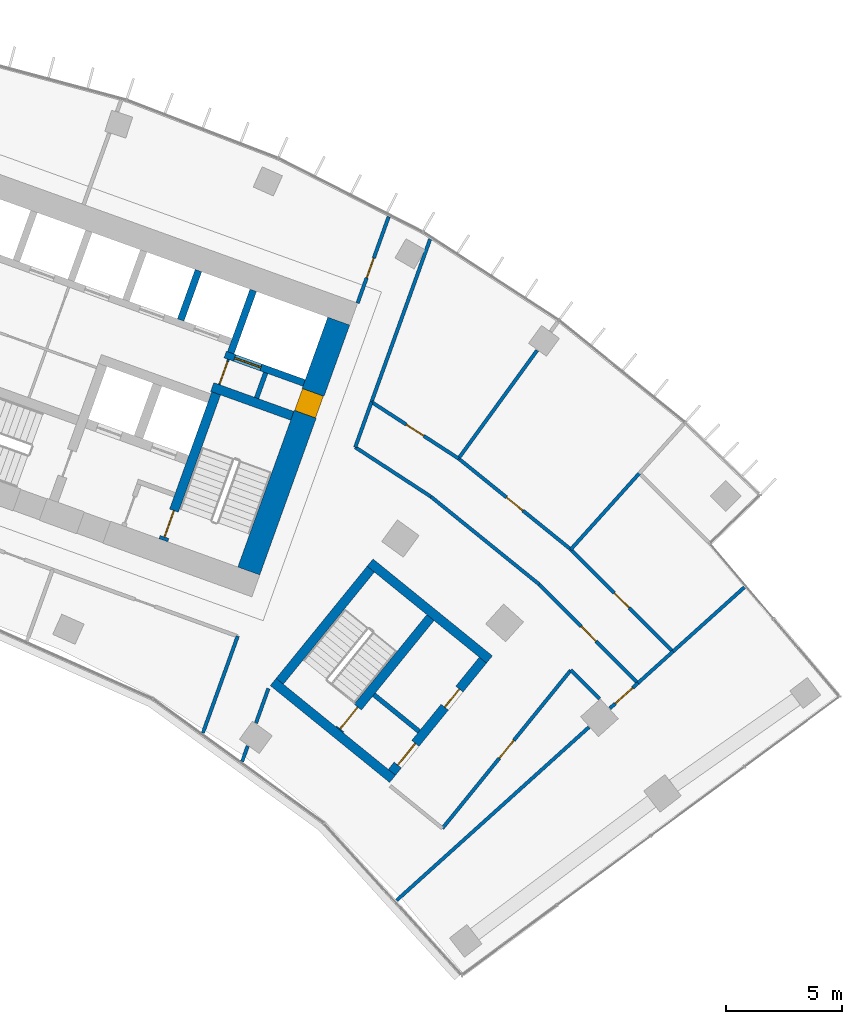
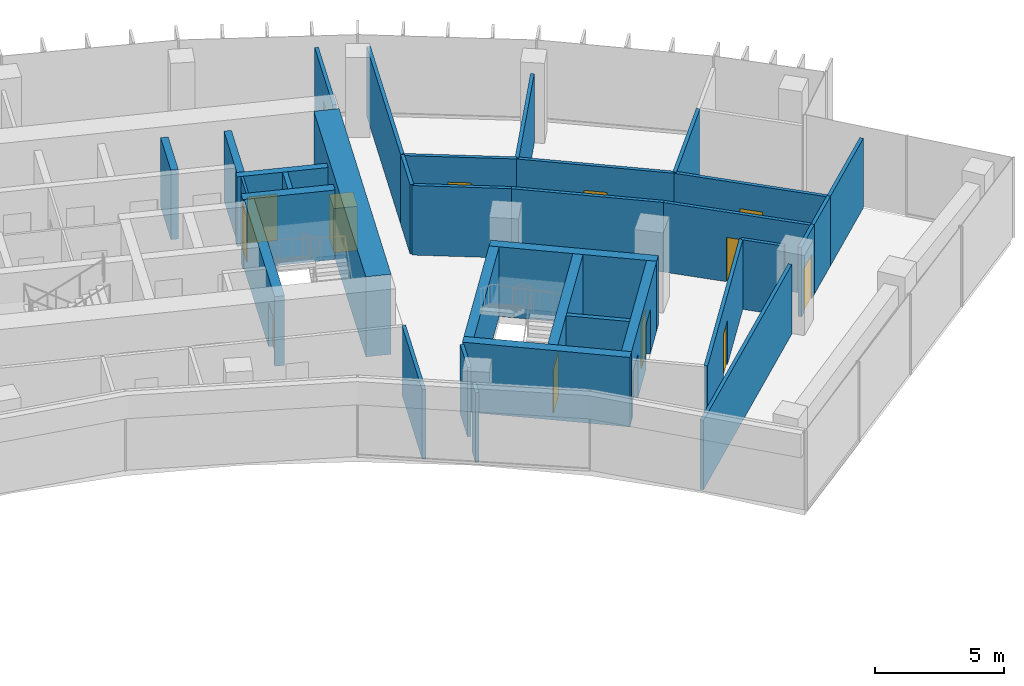
# One storey, part 16 of 19: 34 walls, 14 doors, 14 openings.
"""IFC4 building model written with IfcOpenShell, lengths in metres."""

from ifc_helpers import new_model, si_unit, direction, frame, frame_2d, origin, place, context, subcontext, project, spatial, rectangle, extrude, material, layer, layer_set, type_object, element, fill, save


model = new_model("IFC4")

# Units and contexts
model_context = context("Model", 3, precision=1e-05, world=origin(), true_north=direction((0.0, 1.0)))
body_context = subcontext(model_context, "Body", "Model", "MODEL_VIEW")
ifc_project = project(units=[si_unit("LENGTHUNIT", "METRE"), si_unit("AREAUNIT", "SQUARE_METRE"), si_unit("VOLUMEUNIT", "CUBIC_METRE"), si_unit("PLANEANGLEUNIT", "RADIAN"), si_unit("MASSUNIT", "GRAM", prefix="KILO")], contexts=[model_context])

# Site, building, storey
site_placement = place(None, origin())
site = spatial("IfcSite", under=ifc_project, at=site_placement, CompositionType="ELEMENT")
building_placement = place(site_placement, origin())
building = spatial("IfcBuilding", under=site, at=building_placement, Name="Stone Belt Terrace Tower", CompositionType="ELEMENT")
storey_placement = place(building_placement, frame((0.0, 0.0, 246.60009765625)))
storey = spatial("IfcBuildingStorey", under=building, at=storey_placement, Name="L60", CompositionType="ELEMENT", Elevation=246.60009765625)

# Wall, opening, door
ifc_material_1 = material(Name="Plasterboard partition")
ifc_layer_1 = layer(ifc_material_1, 0.10009765625)
ifc_layer_set_1 = layer_set([ifc_layer_1], Name="Core partition 100")
wall_type_1 = type_object("IfcWallType", Name="Core partition 100", PredefinedType="PARTITIONING", material=ifc_layer_set_1)
wall_1_placement = place(storey_placement, frame((24.555908203125, 51.10400390625, 0.0), z_axis=(0.0, 0.0, 1.0), x_axis=(0.338621735342, 0.94092258999, 0.0)))
wall_1 = element("IfcWall", 1, at=wall_1_placement, inside=storey, type_object=wall_type_1, Name="Core B wall", PredefinedType="PARTITIONING", context=body_context, shape_type="SweptSolid", body=[
    extrude(rectangle(XDim=1.14990234375, YDim=0.10009765625, at=frame_2d((0.574951171875, 0.0))), origin(), (0.0, 0.0, 1.0), 3.2998046875),
])
opening_1_placement = place(wall_1_placement, frame((0.050048828125, 0.0, 0.0)))
opening_1 = element("IfcOpeningElement", 2, at=opening_1_placement, cuts=wall_1, Name="Opening L60-C19", PredefinedType="OPENING", context=body_context, shape_type="SweptSolid", body=[
    extrude(rectangle(XDim=1.0, YDim=2.10009765625, at=frame_2d((0.5, 1.050048828125))), frame((0.0, 0.06005859375, 0.0), z_axis=(0.0, -1.0, 0.0), x_axis=(1.0, 0.0, 0.0)), (0.0, 0.0, 1.0), 0.1201171875),
])
ifc_material_2 = material(Name="Timber door leaf", Category="wood")
door_type_1 = type_object("IfcDoorType", Name="Core room door 1000", OperationType="SINGLE_SWING_LEFT", PredefinedType="DOOR", material=ifc_material_2)
door_1_placement = place(opening_1_placement, origin())
door_1 = element("IfcDoor", 3, at=door_1_placement, inside=storey, type_object=door_type_1, Name="Service lift lobby door core B", OperationType="SINGLE_SWING_RIGHT", OverallHeight=2.10009765625, OverallWidth=1.0, PredefinedType="DOOR", context=body_context, shape_type="SweptSolid", body=[
    extrude(rectangle(XDim=1.0, YDim=2.10009765625, at=frame_2d((0.5, 1.050048828125))), frame((0.0, 0.02490234375, 0.0), z_axis=(0.0, -1.0, 0.0), x_axis=(1.0, 0.0, 0.0)), (0.0, 0.0, 1.0), 0.050048828125),
])
fill(opening_1, door_1)

ifc_material_3 = material(Name="Concrete B60", Category="concrete")
ifc_layer_2 = layer(ifc_material_3, 1.0)
ifc_layer_set_2 = layer_set([ifc_layer_2], Name="Core wall 1000 B60")
wall_type_2 = type_object("IfcWallType", Name="Core wall 1000 B60", PredefinedType="SHEAR", material=ifc_layer_set_2)
wall_2_placement = place(storey_placement, frame((25.821044921875, 43.102783203125, 0.0), z_axis=(0.0, 0.0, 1.0), x_axis=(0.338625431531, 0.940921259788, 0.0)))
wall_2 = element("IfcWall", 4, at=wall_2_placement, inside=storey, type_object=wall_type_2, Name="Core B wall end_b L60", PredefinedType="SHEAR", context=body_context, shape_type="SweptSolid", body=[
    extrude(rectangle(XDim=11.400146484375, YDim=1.0, at=frame_2d((5.7001953125, 0.0))), origin(), (0.0, 0.0, 1.0), 3.7998046875),
])
opening_2_placement = place(wall_2_placement, frame((7.14990234375, 0.0, 0.0)))
opening_2 = element("IfcOpeningElement", 5, at=opening_2_placement, cuts=wall_2, Name="Opening L60-C18", PredefinedType="OPENING", context=body_context, shape_type="SweptSolid", body=[
    extrude(rectangle(XDim=1.0, YDim=2.10009765625, at=frame_2d((0.5, 1.050048828125))), frame((0.0, 0.510009765625, 0.0), z_axis=(0.0, -1.0, 0.0), x_axis=(1.0, 0.0, 0.0)), (0.0, 0.0, 1.0), 1.02001953125),
])
door_2_placement = place(opening_2_placement, origin())
door_2 = element("IfcDoor", 6, at=door_2_placement, inside=storey, type_object=door_type_1, Name="Door to Telecommunications riser room core B", OperationType="SINGLE_SWING_LEFT", OverallHeight=2.10009765625, OverallWidth=1.0, PredefinedType="DOOR", context=body_context, shape_type="SweptSolid", body=[
    extrude(rectangle(XDim=1.0, YDim=2.10009765625, at=frame_2d((0.5, 1.050048828125))), frame((0.0, 0.47998046875, 0.0), z_axis=(0.0, -1.0, 0.0), x_axis=(1.0, 0.0, 0.0)), (0.0, 0.0, 1.0), 0.949951171875),
])
fill(opening_2, door_2)

ifc_material_4 = material(Name="Concrete B80", Category="concrete")
ifc_layer_3 = layer(ifc_material_4, 0.300048828125)
ifc_layer_set_3 = layer_set([ifc_layer_3], Name="Lift shaft wall 300")
wall_type_3 = type_object("IfcWallType", Name="Lift shaft wall 300", PredefinedType="SHEAR", material=ifc_layer_set_3)
wall_3_placement = place(storey_placement, frame((28.195068359375, 51.17578125, 0.0), z_axis=(0.0, 0.0, 1.0), x_axis=(-0.940901243567, 0.338681044427, 0.0)))
wall_3 = element("IfcWall", 7, at=wall_3_placement, inside=storey, type_object=wall_type_3, Name="Core B wall", PredefinedType="SHEAR", context=body_context, shape_type="SweptSolid", body=[
    extrude(rectangle(XDim=3.599853515625, YDim=0.300048828125, at=frame_2d((1.7998046875, 0.0))), origin(), (0.0, 0.0, 1.0), 3.2998046875),
])
opening_3_placement = place(wall_3_placement, frame((1.969970703125, 0.0, 0.0)))
opening_3 = element("IfcOpeningElement", 8, at=opening_3_placement, cuts=wall_3, Name="Opening L60-LD16", PredefinedType="OPENING", context=body_context, shape_type="SweptSolid", body=[
    extrude(rectangle(XDim=1.199951171875, YDim=2.199951171875, at=frame_2d((0.60009765625, 1.10009765625))), frame((0.0, 0.159912109375, 0.0), z_axis=(0.0, -1.0, 0.0), x_axis=(1.0, 0.0, 0.0)), (0.0, 0.0, 1.0), 0.320068359375),
])
ifc_material_5 = material(Name="Stainless steel door leaf", Category="steel")
door_type_2 = type_object("IfcDoorType", Name="Landing door 1200", OperationType="SLIDING_TO_LEFT", PredefinedType="DOOR", material=ifc_material_5)
door_3_placement = place(opening_3_placement, origin())
door_3 = element("IfcDoor", 9, at=door_3_placement, inside=storey, type_object=door_type_2, Name="Landing door SV1 core B", OperationType="SLIDING_TO_LEFT", OverallHeight=2.199951171875, OverallWidth=1.199951171875, PredefinedType="DOOR", context=body_context, shape_type="SweptSolid", body=[
    extrude(rectangle(XDim=1.199951171875, YDim=2.199951171875, at=frame_2d((0.60009765625, 1.10009765625))), frame((0.0, 0.02490234375, 0.0), z_axis=(0.0, -1.0, 0.0), x_axis=(1.0, 0.0, 0.0)), (0.0, 0.0, 1.0), 0.050048828125),
])
fill(opening_3, door_3)

# Walls
wall_4_placement = place(storey_placement, frame((25.046875, 52.46826171875, 0.0), z_axis=(0.0, 0.0, 1.0), x_axis=(0.338549588058, 0.940948551423, 0.0)))
element("IfcWall", 10, at=wall_4_placement, inside=storey, type_object=wall_type_3, Name="Core B wall", PredefinedType="SHEAR", context=body_context, shape_type="SweptSolid", body=[
    extrude(rectangle(XDim=2.849853515625, YDim=0.300048828125, at=frame_2d((1.4248046875, 0.0))), origin(), (0.0, 0.0, 1.0), 3.2998046875),
])
wall_5_placement = place(storey_placement, frame((22.897705078125, 53.87939453125, 0.0), z_axis=(0.0, 0.0, 1.0), x_axis=(0.338535034312, 0.940953787677, 0.0)))
element("IfcWall", 11, at=wall_5_placement, inside=storey, type_object=wall_type_3, Name="Core B wall", PredefinedType="SHEAR", context=body_context, shape_type="SweptSolid", body=[
    extrude(rectangle(XDim=2.25, YDim=0.300048828125, at=frame_2d((1.125, 0.0))), origin(), (0.0, 0.0, 1.0), 3.2998046875),
])
ifc_material_6 = material(Name="Gypsum board partition")
ifc_layer_4 = layer(ifc_material_6, 0.14990234375)
ifc_layer_set_4 = layer_set([ifc_layer_4], Name="PARTITION 150 EI 60")
wall_type_4 = type_object("IfcWallType", Name="PARTITION 150 EI 60", PredefinedType="PARTITIONING", material=ifc_layer_set_4)
wall_6_placement = place(storey_placement, frame((23.84912109375, 36.14697265625, 0.0), z_axis=(0.0, 0.0, 1.0), x_axis=(0.338515990554, 0.940960638996, 0.0)))
element("IfcWall", 12, at=wall_6_placement, inside=storey, type_object=wall_type_4, Name="L60/wall/i022", PredefinedType="PARTITIONING", context=body_context, shape_type="SweptSolid", body=[
    extrude(rectangle(XDim=4.4189453125, YDim=0.14990234375, at=frame_2d((2.20947265625, 0.0))), origin(), (0.0, 0.0, 1.0), 3.2998046875),
])

# Wall, opening, door
wall_7_placement = place(storey_placement, frame((30.490966796875, 54.60107421875, 0.0), z_axis=(0.0, 0.0, 1.0), x_axis=(0.338463192343, 0.940979631782, 0.0)))
wall_7 = element("IfcWall", 13, at=wall_7_placement, inside=storey, type_object=wall_type_4, Name="L60/wall/i023", PredefinedType="PARTITIONING", context=body_context, shape_type="SweptSolid", body=[
    extrude(rectangle(XDim=3.947021484375, YDim=0.14990234375, at=frame_2d((1.9736328125, 0.0))), origin(), (0.0, 0.0, 1.0), 3.2998046875),
])
opening_4_placement = place(wall_7_placement, frame((1.156494140625, 0.0, 0.0)))
opening_4 = element("IfcOpeningElement", 14, at=opening_4_placement, cuts=wall_7, Name="Opening D-D5b-10", PredefinedType="OPENING", context=body_context, shape_type="SweptSolid", body=[
    extrude(rectangle(XDim=0.89990234375, YDim=2.10009765625, at=frame_2d((0.449951171875, 1.050048828125))), frame((0.0, 0.0849609375, 0.0), z_axis=(0.0, -1.0, 0.0), x_axis=(1.0, 0.0, 0.0)), (0.0, 0.0, 1.0), 0.169921875),
])
door_type_3 = type_object("IfcDoorType", Name="OFFICE DOOR 900 X 2100", OperationType="NOTDEFINED", PredefinedType="DOOR", material=ifc_material_2)
door_4_placement = place(opening_4_placement, origin())
door_4 = element("IfcDoor", 15, at=door_4_placement, inside=storey, type_object=door_type_3, Name="L60/door/i10", OperationType="SINGLE_SWING_LEFT", OverallHeight=2.10009765625, OverallWidth=0.89990234375, PredefinedType="DOOR", context=body_context, shape_type="SweptSolid", body=[
    extrude(rectangle(XDim=0.89990234375, YDim=2.10009765625, at=frame_2d((0.449951171875, 1.050048828125))), frame((0.0, 0.02490234375, 0.0), z_axis=(0.0, -1.0, 0.0), x_axis=(1.0, 0.0, 0.0)), (0.0, 0.0, 1.0), 0.050048828125),
])
fill(opening_4, door_4)

# Walls
wall_8_placement = place(storey_placement, frame((26.662109375, 38.055908203125, 0.0), z_axis=(0.0, 0.0, 1.0), x_axis=(-0.338735967395, -0.940881472021, 0.0)))
element("IfcWall", 16, at=wall_8_placement, inside=storey, type_object=wall_type_4, Name="L60/wall/i024", PredefinedType="PARTITIONING", context=body_context, shape_type="SweptSolid", body=[
    extrude(rectangle(XDim=1.572021484375, YDim=0.14990234375, at=frame_2d((0.7861328125, 0.0))), origin(), (0.0, 0.0, 1.0), 3.2998046875),
])
wall_9_placement = place(storey_placement, frame((25.7734375, 35.58740234375, 0.0), z_axis=(0.0, 0.0, 1.0), x_axis=(-0.338743948122, -0.940878598763, 0.0)))
element("IfcWall", 17, at=wall_9_placement, inside=storey, type_object=wall_type_4, Name="L60/wall/i025", PredefinedType="PARTITIONING", context=body_context, shape_type="SweptSolid", body=[
    extrude(rectangle(XDim=0.706298828125, YDim=0.14990234375, at=frame_2d((0.35302734375, 0.0))), origin(), (0.0, 0.0, 1.0), 3.2998046875),
])
wall_10_placement = place(storey_placement, frame((31.091064453125, 50.363037109375, 0.0), z_axis=(0.0, 0.0, 1.0), x_axis=(-0.33830289946, -0.941037272491, 0.0)))
element("IfcWall", 18, at=wall_10_placement, inside=storey, type_object=wall_type_4, Name="L60/wall/i026", PredefinedType="PARTITIONING", context=body_context, shape_type="SweptSolid", body=[
    extrude(rectangle(XDim=2.075439453125, YDim=0.14990234375, at=frame_2d((1.03759765625, 0.0))), origin(), (0.0, 0.0, 1.0), 3.2998046875),
])
wall_11_placement = place(storey_placement, frame((33.60791015625, 57.35498046875, 0.0), z_axis=(0.0, 0.0, 1.0), x_axis=(-0.338596336593, -0.940931730173, 0.0)))
element("IfcWall", 19, at=wall_11_placement, inside=storey, type_object=wall_type_4, Name="L60/wall/i027", PredefinedType="PARTITIONING", context=body_context, shape_type="SweptSolid", body=[
    extrude(rectangle(XDim=7.442626953125, YDim=0.14990234375, at=frame_2d((3.72119140625, 0.0))), origin(), (0.0, 0.0, 1.0), 3.2998046875),
])

# Wall, opening, door
wall_12_placement = place(storey_placement, frame((42.531005859375, 38.2939453125, 0.0), z_axis=(0.0, 0.0, 1.0), x_axis=(-0.743450987947, -0.668790421972, 0.0)))
wall_12 = element("IfcWall", 20, at=wall_12_placement, inside=storey, type_object=wall_type_4, Name="L60/wall/i044", PredefinedType="PARTITIONING", context=body_context, shape_type="SweptSolid", body=[
    extrude(rectangle(XDim=1.625244140625, YDim=0.14990234375, at=frame_2d((0.8125, 0.0))), origin(), (0.0, 0.0, 1.0), 3.2998046875),
])
opening_5_placement = place(wall_12_placement, frame((0.312744140625, 0.0, 0.0)))
opening_5 = element("IfcOpeningElement", 21, at=opening_5_placement, cuts=wall_12, Name="Opening D-D5b-15", PredefinedType="OPENING", context=body_context, shape_type="SweptSolid", body=[
    extrude(rectangle(XDim=1.0, YDim=2.10009765625, at=frame_2d((0.5, 1.050048828125))), frame((0.0, 0.0849609375, 0.0), z_axis=(0.0, -1.0, 0.0), x_axis=(1.0, 0.0, 0.0)), (0.0, 0.0, 1.0), 0.169921875),
])
ifc_material_7 = material(Name="Timber fire door leaf", Category="wood")
door_type_4 = type_object("IfcDoorType", Name="TENANCY ENTRANCE DOOR 1000 X 2100", OperationType="NOTDEFINED", PredefinedType="DOOR", material=ifc_material_7)
door_5_placement = place(opening_5_placement, origin())
door_5 = element("IfcDoor", 22, at=door_5_placement, inside=storey, type_object=door_type_4, Name="L60/door/i15", OperationType="SINGLE_SWING_RIGHT", OverallHeight=2.10009765625, OverallWidth=1.0, PredefinedType="DOOR", context=body_context, shape_type="SweptSolid", body=[
    extrude(rectangle(XDim=1.0, YDim=2.10009765625, at=frame_2d((0.5, 1.050048828125))), frame((0.0, 0.02490234375, 0.0), z_axis=(0.0, -1.0, 0.0), x_axis=(1.0, 0.0, 0.0)), (0.0, 0.0, 1.0), 0.050048828125),
])
fill(opening_5, door_5)

# Walls
wall_13_placement = place(storey_placement, frame((32.1630859375, 28.959716796875, 0.0), z_axis=(0.0, 0.0, 1.0), x_axis=(0.743116100378, 0.669162507437, 0.0)))
element("IfcWall", 23, at=wall_13_placement, inside=storey, type_object=wall_type_4, Name="L60/wall/i045", PredefinedType="PARTITIONING", context=body_context, shape_type="SweptSolid", body=[
    extrude(rectangle(XDim=11.115478515625, YDim=0.14990234375, at=frame_2d((5.5576171875, 0.0))), origin(), (0.0, 0.0, 1.0), 3.2998046875),
])
wall_14_placement = place(storey_placement, frame((42.52197265625, 38.287109375, 0.0), z_axis=(0.0, 0.0, 1.0), x_axis=(0.74306127458, 0.669223387382, 0.0)))
element("IfcWall", 24, at=wall_14_placement, inside=storey, type_object=wall_type_4, Name="L60/wall/i046", PredefinedType="PARTITIONING", context=body_context, shape_type="SweptSolid", body=[
    extrude(rectangle(XDim=2.033447265625, YDim=0.14990234375, at=frame_2d((1.0166015625, 0.0))), origin(), (0.0, 0.0, 1.0), 3.2998046875),
])
wall_15_placement = place(storey_placement, frame((44.02490234375, 39.639892578125, 0.0), z_axis=(0.0, 0.0, 1.0), x_axis=(0.743144572165, 0.66913088769, 0.0)))
element("IfcWall", 25, at=wall_15_placement, inside=storey, type_object=wall_type_4, Name="L60/wall/i047", PredefinedType="PARTITIONING", context=body_context, shape_type="SweptSolid", body=[
    extrude(rectangle(XDim=4.1396484375, YDim=0.14990234375, at=frame_2d((2.06982421875, 0.0))), origin(), (0.0, 0.0, 1.0), 3.2998046875),
])
wall_16_placement = place(storey_placement, frame((40.871826171875, 37.615234375, 0.0), z_axis=(0.0, 0.0, 1.0), x_axis=(-0.707176795224, 0.707036760216, 0.0)))
element("IfcWall", 26, at=wall_16_placement, inside=storey, type_object=wall_type_4, Name="L60/wall/i048", PredefinedType="PARTITIONING", context=body_context, shape_type="SweptSolid", body=[
    extrude(rectangle(XDim=1.743408203125, YDim=0.14990234375, at=frame_2d((0.87158203125, 0.0))), origin(), (0.0, 0.0, 1.0), 3.2998046875),
])
wall_17_placement = place(storey_placement, frame((30.39111328125, 48.4150390625, 0.0), z_axis=(0.0, 0.0, 1.0), x_axis=(0.837265796004, -0.546796110851, 0.0)))
element("IfcWall", 27, at=wall_17_placement, inside=storey, type_object=wall_type_4, Name="L60/wall/i049", PredefinedType="PARTITIONING", context=body_context, shape_type="SweptSolid", body=[
    extrude(rectangle(XDim=3.87548828125, YDim=0.14990234375, at=frame_2d((1.937744140625, 0.0))), origin(), (0.0, 0.0, 1.0), 3.2998046875),
])
wall_18_placement = place(storey_placement, frame((33.635986328125, 46.2958984375, 0.0), z_axis=(0.0, 0.0, 1.0), x_axis=(0.77714422733, -0.629322532513, 0.0)))
element("IfcWall", 28, at=wall_18_placement, inside=storey, type_object=wall_type_4, Name="L60/wall/i050", PredefinedType="PARTITIONING", context=body_context, shape_type="SweptSolid", body=[
    extrude(rectangle(XDim=5.98876953125, YDim=0.14990234375, at=frame_2d((2.994384765625, 0.0))), origin(), (0.0, 0.0, 1.0), 3.2998046875),
])

# Wall, opening, door
wall_19_placement = place(storey_placement, frame((38.291015625, 42.52587890625, 0.0), z_axis=(0.0, 0.0, 1.0), x_axis=(0.707106781187, -0.707106781187, 0.0)))
wall_19 = element("IfcWall", 29, at=wall_19_placement, inside=storey, type_object=wall_type_4, Name="L60/wall/i051", PredefinedType="PARTITIONING", context=body_context, shape_type="SweptSolid", body=[
    extrude(rectangle(XDim=5.989013671875, YDim=0.14990234375, at=frame_2d((2.99462890625, 0.0))), origin(), (0.0, 0.0, 1.0), 3.2998046875),
])
opening_6_placement = place(wall_19_placement, frame((2.544677734375, 0.0, 0.0)))
opening_6 = element("IfcOpeningElement", 30, at=opening_6_placement, cuts=wall_19, Name="Opening D-D5b-17", PredefinedType="OPENING", context=body_context, shape_type="SweptSolid", body=[
    extrude(rectangle(XDim=0.89990234375, YDim=2.10009765625, at=frame_2d((0.449951171875, 1.050048828125))), frame((0.0, 0.0849609375, 0.0), z_axis=(0.0, -1.0, 0.0), x_axis=(1.0, 0.0, 0.0)), (0.0, 0.0, 1.0), 0.169921875),
])
door_6_placement = place(opening_6_placement, origin())
door_6 = element("IfcDoor", 31, at=door_6_placement, inside=storey, type_object=door_type_3, Name="L60/door/i17", OperationType="SINGLE_SWING_RIGHT", OverallHeight=2.10009765625, OverallWidth=0.89990234375, PredefinedType="DOOR", context=body_context, shape_type="SweptSolid", body=[
    extrude(rectangle(XDim=0.89990234375, YDim=2.10009765625, at=frame_2d((0.449951171875, 1.050048828125))), frame((0.0, 0.02490234375, 0.0), z_axis=(0.0, -1.0, 0.0), x_axis=(1.0, 0.0, 0.0)), (0.0, 0.0, 1.0), 0.050048828125),
])
fill(opening_6, door_6)

wall_20_placement = place(storey_placement, frame((34.133056640625, 32.055908203125, 0.0), z_axis=(0.0, 0.0, 1.0), x_axis=(0.630226712005, 0.776411161354, 0.0)))
wall_20 = element("IfcWall", 32, at=wall_20_placement, inside=storey, type_object=wall_type_4, Name="L60/wall/i052", PredefinedType="PARTITIONING", context=body_context, shape_type="SweptSolid", body=[
    extrude(rectangle(XDim=8.742919921875, YDim=0.14990234375, at=frame_2d((4.37158203125, 0.0))), origin(), (0.0, 0.0, 1.0), 3.2998046875),
])
opening_7_placement = place(wall_20_placement, frame((3.871337890625, 0.0, 0.0)))
opening_7 = element("IfcOpeningElement", 33, at=opening_7_placement, cuts=wall_20, Name="Opening D-D5b-16", PredefinedType="OPENING", context=body_context, shape_type="SweptSolid", body=[
    extrude(rectangle(XDim=1.0, YDim=2.10009765625, at=frame_2d((0.5, 1.050048828125))), frame((0.0, 0.0849609375, 0.0), z_axis=(0.0, -1.0, 0.0), x_axis=(1.0, 0.0, 0.0)), (0.0, 0.0, 1.0), 0.169921875),
])
door_7_placement = place(opening_7_placement, origin())
door_7 = element("IfcDoor", 34, at=door_7_placement, inside=storey, type_object=door_type_4, Name="L60/door/i16", OperationType="SINGLE_SWING_RIGHT", OverallHeight=2.10009765625, OverallWidth=1.0, PredefinedType="DOOR", context=body_context, shape_type="SweptSolid", body=[
    extrude(rectangle(XDim=1.0, YDim=2.10009765625, at=frame_2d((0.5, 1.050048828125))), frame((0.0, 0.02490234375, 0.0), z_axis=(0.0, -1.0, 0.0), x_axis=(1.0, 0.0, 0.0)), (0.0, 0.0, 1.0), 0.050048828125),
])
fill(opening_7, door_7)

wall_21_placement = place(storey_placement, frame((31.090087890625, 50.35693359375, 0.0), z_axis=(0.0, 0.0, 1.0), x_axis=(0.838646515126, -0.544676071319, 0.0)))
wall_21 = element("IfcWall", 35, at=wall_21_placement, inside=storey, type_object=wall_type_4, Name="L60/wall/i054", PredefinedType="PARTITIONING", context=body_context, shape_type="SweptSolid", body=[
    extrude(rectangle(XDim=4.452392578125, YDim=0.14990234375, at=frame_2d((2.22607421875, 0.0))), origin(), (0.0, 0.0, 1.0), 3.2998046875),
])
opening_8_placement = place(wall_21_placement, frame((1.776123046875, 0.0, 0.0)))
opening_8 = element("IfcOpeningElement", 36, at=opening_8_placement, cuts=wall_21, Name="Opening D-D5b-18", PredefinedType="OPENING", context=body_context, shape_type="SweptSolid", body=[
    extrude(rectangle(XDim=0.89990234375, YDim=2.10009765625, at=frame_2d((0.449951171875, 1.050048828125))), frame((0.0, 0.0849609375, 0.0), z_axis=(0.0, -1.0, 0.0), x_axis=(1.0, 0.0, 0.0)), (0.0, 0.0, 1.0), 0.169921875),
])
door_8_placement = place(opening_8_placement, origin())
door_8 = element("IfcDoor", 37, at=door_8_placement, inside=storey, type_object=door_type_3, Name="L60/door/i18", OperationType="SINGLE_SWING_RIGHT", OverallHeight=2.10009765625, OverallWidth=0.89990234375, PredefinedType="DOOR", context=body_context, shape_type="SweptSolid", body=[
    extrude(rectangle(XDim=0.89990234375, YDim=2.10009765625, at=frame_2d((0.449951171875, 1.050048828125))), frame((0.0, 0.02490234375, 0.0), z_axis=(0.0, -1.0, 0.0), x_axis=(1.0, 0.0, 0.0)), (0.0, 0.0, 1.0), 0.050048828125),
])
fill(opening_8, door_8)

wall_22_placement = place(storey_placement, frame((34.823974609375, 47.931884765625, 0.0), z_axis=(0.0, 0.0, 1.0), x_axis=(0.777176112755, -0.629283155473, 0.0)))
wall_22 = element("IfcWall", 38, at=wall_22_placement, inside=storey, type_object=wall_type_4, Name="L60/wall/i055", PredefinedType="PARTITIONING", context=body_context, shape_type="SweptSolid", body=[
    extrude(rectangle(XDim=6.2021484375, YDim=0.14990234375, at=frame_2d((3.10107421875, 0.0))), origin(), (0.0, 0.0, 1.0), 3.2998046875),
])
opening_9_placement = place(wall_22_placement, frame((2.651123046875, 0.0, 0.0)))
opening_9 = element("IfcOpeningElement", 39, at=opening_9_placement, cuts=wall_22, Name="Opening D-D5b-19", PredefinedType="OPENING", context=body_context, shape_type="SweptSolid", body=[
    extrude(rectangle(XDim=0.89990234375, YDim=2.10009765625, at=frame_2d((0.449951171875, 1.050048828125))), frame((0.0, 0.0849609375, 0.0), z_axis=(0.0, -1.0, 0.0), x_axis=(1.0, 0.0, 0.0)), (0.0, 0.0, 1.0), 0.169921875),
])
door_9_placement = place(opening_9_placement, origin())
door_9 = element("IfcDoor", 40, at=door_9_placement, inside=storey, type_object=door_type_3, Name="L60/door/i19", OperationType="SINGLE_SWING_RIGHT", OverallHeight=2.10009765625, OverallWidth=0.89990234375, PredefinedType="DOOR", context=body_context, shape_type="SweptSolid", body=[
    extrude(rectangle(XDim=0.89990234375, YDim=2.10009765625, at=frame_2d((0.449951171875, 1.050048828125))), frame((0.0, 0.02490234375, 0.0), z_axis=(0.0, -1.0, 0.0), x_axis=(1.0, 0.0, 0.0)), (0.0, 0.0, 1.0), 0.050048828125),
])
fill(opening_9, door_9)

wall_23_placement = place(storey_placement, frame((39.639892578125, 44.032958984375, 0.0), z_axis=(0.0, 0.0, 1.0), x_axis=(0.707126447351, -0.707087114475, 0.0)))
wall_23 = element("IfcWall", 41, at=wall_23_placement, inside=storey, type_object=wall_type_4, Name="L60/wall/i056", PredefinedType="PARTITIONING", context=body_context, shape_type="SweptSolid", body=[
    extrude(rectangle(XDim=6.20703125, YDim=0.14990234375, at=frame_2d((3.103515625, 0.0))), origin(), (0.0, 0.0, 1.0), 3.2998046875),
])
opening_10_placement = place(wall_23_placement, frame((2.653564453125, 0.0, 0.0)))
opening_10 = element("IfcOpeningElement", 42, at=opening_10_placement, cuts=wall_23, Name="Opening D-D5b-20", PredefinedType="OPENING", context=body_context, shape_type="SweptSolid", body=[
    extrude(rectangle(XDim=0.89990234375, YDim=2.10009765625, at=frame_2d((0.449951171875, 1.050048828125))), frame((0.0, 0.0849609375, 0.0), z_axis=(0.0, -1.0, 0.0), x_axis=(1.0, 0.0, 0.0)), (0.0, 0.0, 1.0), 0.169921875),
])
door_10_placement = place(opening_10_placement, origin())
door_10 = element("IfcDoor", 43, at=door_10_placement, inside=storey, type_object=door_type_3, Name="L60/door/i20", OperationType="SINGLE_SWING_RIGHT", OverallHeight=2.10009765625, OverallWidth=0.89990234375, PredefinedType="DOOR", context=body_context, shape_type="SweptSolid", body=[
    extrude(rectangle(XDim=0.89990234375, YDim=2.10009765625, at=frame_2d((0.449951171875, 1.050048828125))), frame((0.0, 0.02490234375, 0.0), z_axis=(0.0, -1.0, 0.0), x_axis=(1.0, 0.0, 0.0)), (0.0, 0.0, 1.0), 0.050048828125),
])
fill(opening_10, door_10)

# Walls
wall_24_placement = place(storey_placement, frame((38.196533203125, 52.572998046875, 0.0), z_axis=(0.0, 0.0, 1.0), x_axis=(-0.587741422295, -0.809048836918, 0.0)))
element("IfcWall", 44, at=wall_24_placement, inside=storey, type_object=wall_type_4, Name="L60/wall/i058", PredefinedType="PARTITIONING", context=body_context, shape_type="SweptSolid", body=[
    extrude(rectangle(XDim=5.736572265625, YDim=0.14990234375, at=frame_2d((2.8681640625, 0.0))), origin(), (0.0, 0.0, 1.0), 3.2998046875),
])
wall_25_placement = place(storey_placement, frame((42.592041015625, 47.302978515625, 0.0), z_axis=(0.0, 0.0, 1.0), x_axis=(-0.669148410698, -0.743128793992, 0.0)))
element("IfcWall", 45, at=wall_25_placement, inside=storey, type_object=wall_type_4, Name="L60/wall/i059", PredefinedType="PARTITIONING", context=body_context, shape_type="SweptSolid", body=[
    extrude(rectangle(XDim=4.405517578125, YDim=0.14990234375, at=frame_2d((2.20263671875, 0.0))), origin(), (0.0, 0.0, 1.0), 3.2998046875),
])
ifc_material_8 = material(Name="Concrete masonry block", Category="masonry")
ifc_layer_5 = layer(ifc_material_8, 0.199951171875)
ifc_layer_set_5 = layer_set([ifc_layer_5], Name="Rated lobby wall 200")
wall_type_5 = type_object("IfcWallType", Name="Rated lobby wall 200", PredefinedType="PARTITIONING", material=ifc_layer_set_5)
wall_26_placement = place(storey_placement, frame((26.1552734375, 50.5283203125, 0.0), z_axis=(0.0, 0.0, 1.0), x_axis=(0.338621735342, 0.94092258999, 0.0)))
element("IfcWall", 46, at=wall_26_placement, inside=storey, type_object=wall_type_5, Name="Core B wall", PredefinedType="PARTITIONING", context=body_context, shape_type="SweptSolid", body=[
    extrude(rectangle(XDim=1.14990234375, YDim=0.199951171875, at=frame_2d((0.574951171875, 0.0))), origin(), (0.0, 0.0, 1.0), 3.2998046875),
])
wall_27_placement = place(storey_placement, frame((31.190673828125, 37.79296875, 0.0), z_axis=(0.0, 0.0, 1.0), x_axis=(0.776370830301, -0.630276394813, 0.0)))
element("IfcWall", 47, at=wall_27_placement, inside=storey, type_object=wall_type_5, Name="Exit stair ST3B wall", PredefinedType="PARTITIONING", context=body_context, shape_type="SweptSolid", body=[
    extrude(rectangle(XDim=2.5, YDim=0.199951171875, at=frame_2d((1.25, 0.0))), origin(), (0.0, 0.0, 1.0), 3.2998046875),
])
ifc_layer_6 = layer(ifc_material_4, 0.39990234375)
ifc_layer_set_6 = layer_set([ifc_layer_6], Name="Stair enclosure wall 400")
wall_type_6 = type_object("IfcWallType", Name="Stair enclosure wall 400", PredefinedType="SHEAR", material=ifc_layer_set_6)
wall_28_placement = place(storey_placement, frame((27.687255859375, 49.764404296875, 0.0), z_axis=(0.0, 0.0, 1.0), x_axis=(-0.940918954884, 0.338631835981, 0.0)))
element("IfcWall", 48, at=wall_28_placement, inside=storey, type_object=wall_type_6, Name="Core B wall", PredefinedType="SHEAR", context=body_context, shape_type="SweptSolid", body=[
    extrude(rectangle(XDim=3.650146484375, YDim=0.39990234375, at=frame_2d((1.8251953125, 0.0))), origin(), (0.0, 0.0, 1.0), 3.2998046875),
])

# Wall, opening, door
wall_29_placement = place(storey_placement, frame((22.151611328125, 44.42333984375, 0.0), z_axis=(0.0, 0.0, 1.0), x_axis=(0.338625272931, 0.940921316866, 0.0)))
wall_29 = element("IfcWall", 49, at=wall_29_placement, inside=storey, type_object=wall_type_6, Name="Core B wall", PredefinedType="SHEAR", context=body_context, shape_type="SweptSolid", body=[
    extrude(rectangle(XDim=6.699951171875, YDim=0.39990234375, at=frame_2d((3.35009765625, 0.0))), origin(), (0.0, 0.0, 1.0), 3.2998046875),
])
opening_11_placement = place(wall_29_placement, frame((0.14990234375, 0.0, 0.0)))
opening_11 = element("IfcOpeningElement", 50, at=opening_11_placement, cuts=wall_29, Name="Opening L60-C22", PredefinedType="OPENING", context=body_context, shape_type="SweptSolid", body=[
    extrude(rectangle(XDim=1.199951171875, YDim=2.10009765625, at=frame_2d((0.60009765625, 1.050048828125))), frame((0.0, 0.2099609375, 0.0), z_axis=(0.0, -1.0, 0.0), x_axis=(1.0, 0.0, 0.0)), (0.0, 0.0, 1.0), 0.419921875),
])
ifc_material_9 = material(Name="Steel door leaf", Category="steel")
door_type_5 = type_object("IfcDoorType", Name="Stair door 1200", OperationType="SINGLE_SWING_LEFT", PredefinedType="DOOR", material=ifc_material_9)
door_11_placement = place(opening_11_placement, origin())
door_11 = element("IfcDoor", 51, at=door_11_placement, inside=storey, type_object=door_type_5, Name="Stair 1 door core B", OperationType="SINGLE_SWING_RIGHT", OverallHeight=2.10009765625, OverallWidth=1.199951171875, PredefinedType="DOOR", context=body_context, shape_type="SweptSolid", body=[
    extrude(rectangle(XDim=1.199951171875, YDim=2.10009765625, at=frame_2d((0.60009765625, 1.050048828125))), frame((0.0, 0.02490234375, 0.0), z_axis=(0.0, -1.0, 0.0), x_axis=(1.0, 0.0, 0.0)), (0.0, 0.0, 1.0), 0.050048828125),
])
fill(opening_11, door_11)

# Walls
wall_30_placement = place(storey_placement, frame((26.868408203125, 38.3388671875, 0.0), z_axis=(0.0, 0.0, 1.0), x_axis=(0.776428452498, -0.630205409491, 0.0)))
element("IfcWall", 52, at=wall_30_placement, inside=storey, type_object=wall_type_6, Name="Exit stair ST3B wall", PredefinedType="SHEAR", context=body_context, shape_type="SweptSolid", body=[
    extrude(rectangle(XDim=6.60009765625, YDim=0.39990234375, at=frame_2d((3.300048828125, 0.0))), origin(), (0.0, 0.0, 1.0), 3.2998046875),
])
wall_31_placement = place(storey_placement, frame((31.02783203125, 43.46337890625, 0.0), z_axis=(0.0, 0.0, 1.0), x_axis=(0.776413760801, -0.630223509589, 0.0)))
element("IfcWall", 53, at=wall_31_placement, inside=storey, type_object=wall_type_6, Name="Exit stair ST3B wall", PredefinedType="SHEAR", context=body_context, shape_type="SweptSolid", body=[
    extrude(rectangle(XDim=6.599853515625, YDim=0.39990234375, at=frame_2d((3.2998046875, 0.0))), origin(), (0.0, 0.0, 1.0), 3.2998046875),
])
wall_32_placement = place(storey_placement, frame((27.149658203125, 38.3681640625, 0.0), z_axis=(0.0, 0.0, 1.0), x_axis=(0.630211551729, 0.776423466973, 0.0)))
element("IfcWall", 54, at=wall_32_placement, inside=storey, type_object=wall_type_6, Name="Exit stair ST3B wall", PredefinedType="SHEAR", context=body_context, shape_type="SweptSolid", body=[
    extrude(rectangle(XDim=6.199951171875, YDim=0.39990234375, at=frame_2d((3.10009765625, 0.0))), origin(), (0.0, 0.0, 1.0), 3.2998046875),
])

# Wall, openings, doors
wall_33_placement = place(storey_placement, frame((31.963623046875, 34.460693359375, 0.0), z_axis=(0.0, 0.0, 1.0), x_axis=(0.630192283849, 0.776439106033, 0.0)))
wall_33 = element("IfcWall", 55, at=wall_33_placement, inside=storey, type_object=wall_type_6, Name="Exit stair ST3B wall", PredefinedType="SHEAR", context=body_context, shape_type="SweptSolid", body=[
    extrude(rectangle(XDim=6.199951171875, YDim=0.39990234375, at=frame_2d((3.10009765625, 0.0))), origin(), (0.0, 0.0, 1.0), 3.2998046875),
])
opening_12_placement = place(wall_33_placement, frame((0.39990234375, 0.0, 0.0)))
opening_12 = element("IfcOpeningElement", 56, at=opening_12_placement, cuts=wall_33, Name="Opening L60-C30", PredefinedType="OPENING", context=body_context, shape_type="SweptSolid", body=[
    extrude(rectangle(XDim=1.199951171875, YDim=2.10009765625, at=frame_2d((0.60009765625, 1.050048828125))), frame((0.0, 0.2099609375, 0.0), z_axis=(0.0, -1.0, 0.0), x_axis=(1.0, 0.0, 0.0)), (0.0, 0.0, 1.0), 0.419921875),
])
opening_13_placement = place(wall_33_placement, frame((3.60009765625, 0.0, 0.0)))
opening_13 = element("IfcOpeningElement", 57, at=opening_13_placement, cuts=wall_33, Name="Opening L60-C31", PredefinedType="OPENING", context=body_context, shape_type="SweptSolid", body=[
    extrude(rectangle(XDim=1.0, YDim=2.10009765625, at=frame_2d((0.5, 1.050048828125))), frame((0.0, 0.2099609375, 0.0), z_axis=(0.0, -1.0, 0.0), x_axis=(1.0, 0.0, 0.0)), (0.0, 0.0, 1.0), 0.419921875),
])
door_12_placement = place(opening_13_placement, origin())
door_12 = element("IfcDoor", 58, at=door_12_placement, inside=storey, type_object=door_type_1, Name="Door to stair pressurisation plant room ST3B", OperationType="SINGLE_SWING_LEFT", OverallHeight=2.10009765625, OverallWidth=1.0, PredefinedType="DOOR", context=body_context, shape_type="SweptSolid", body=[
    extrude(rectangle(XDim=1.0, YDim=2.10009765625, at=frame_2d((0.5, 1.050048828125))), frame((0.0, 0.02490234375, 0.0), z_axis=(0.0, -1.0, 0.0), x_axis=(1.0, 0.0, 0.0)), (0.0, 0.0, 1.0), 0.050048828125),
])
fill(opening_13, door_12)
door_type_6 = type_object("IfcDoorType", Name="Stair airlock door 1200", OperationType="SINGLE_SWING_LEFT", PredefinedType="DOOR", material=ifc_material_9)
door_13_placement = place(opening_12_placement, origin())
door_13 = element("IfcDoor", 59, at=door_13_placement, inside=storey, type_object=door_type_6, Name="Stair airlock door ST3B", OperationType="SINGLE_SWING_LEFT", OverallHeight=2.10009765625, OverallWidth=1.199951171875, PredefinedType="DOOR", context=body_context, shape_type="SweptSolid", body=[
    extrude(rectangle(XDim=1.199951171875, YDim=2.10009765625, at=frame_2d((0.60009765625, 1.050048828125))), frame((0.0, 0.02490234375, 0.0), z_axis=(0.0, -1.0, 0.0), x_axis=(1.0, 0.0, 0.0)), (0.0, 0.0, 1.0), 0.050048828125),
])
fill(opening_12, door_13)

# Wall, opening, door
wall_34_placement = place(storey_placement, frame((29.7119140625, 36.288330078125, 0.0), z_axis=(0.0, 0.0, 1.0), x_axis=(0.630192283849, 0.776439106033, 0.0)))
wall_34 = element("IfcWall", 60, at=wall_34_placement, inside=storey, type_object=wall_type_6, Name="Exit stair ST3B wall", PredefinedType="SHEAR", context=body_context, shape_type="SweptSolid", body=[
    extrude(rectangle(XDim=6.199951171875, YDim=0.39990234375, at=frame_2d((3.10009765625, 0.0))), origin(), (0.0, 0.0, 1.0), 3.2998046875),
])
opening_14_placement = place(wall_34_placement, frame((0.050048828125, 0.0, 0.0)))
opening_14 = element("IfcOpeningElement", 61, at=opening_14_placement, cuts=wall_34, Name="Opening L60-C29", PredefinedType="OPENING", context=body_context, shape_type="SweptSolid", body=[
    extrude(rectangle(XDim=1.199951171875, YDim=2.10009765625, at=frame_2d((0.60009765625, 1.050048828125))), frame((0.0, 0.2099609375, 0.0), z_axis=(0.0, -1.0, 0.0), x_axis=(1.0, 0.0, 0.0)), (0.0, 0.0, 1.0), 0.419921875),
])
door_14_placement = place(opening_14_placement, origin())
door_14 = element("IfcDoor", 62, at=door_14_placement, inside=storey, type_object=door_type_5, Name="Stair door ST3B", OperationType="SINGLE_SWING_RIGHT", OverallHeight=2.10009765625, OverallWidth=1.199951171875, PredefinedType="DOOR", context=body_context, shape_type="SweptSolid", body=[
    extrude(rectangle(XDim=1.199951171875, YDim=2.10009765625, at=frame_2d((0.60009765625, 1.050048828125))), frame((0.0, 0.02490234375, 0.0), z_axis=(0.0, -1.0, 0.0), x_axis=(1.0, 0.0, 0.0)), (0.0, 0.0, 1.0), 0.050048828125),
])
fill(opening_14, door_14)

save(model, "model.ifc")
